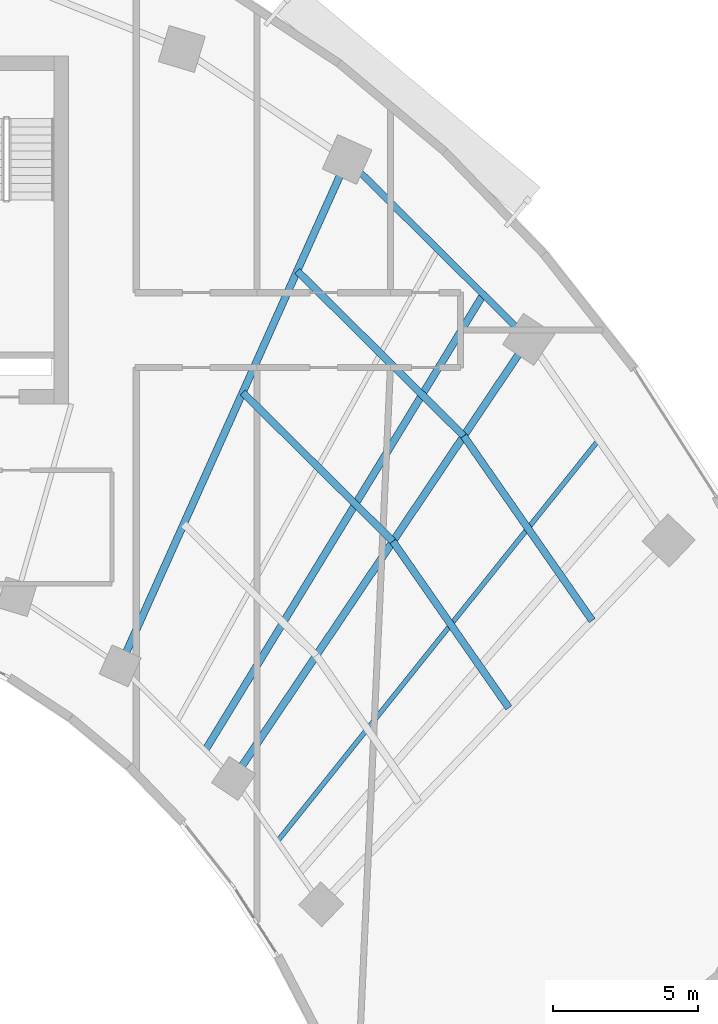
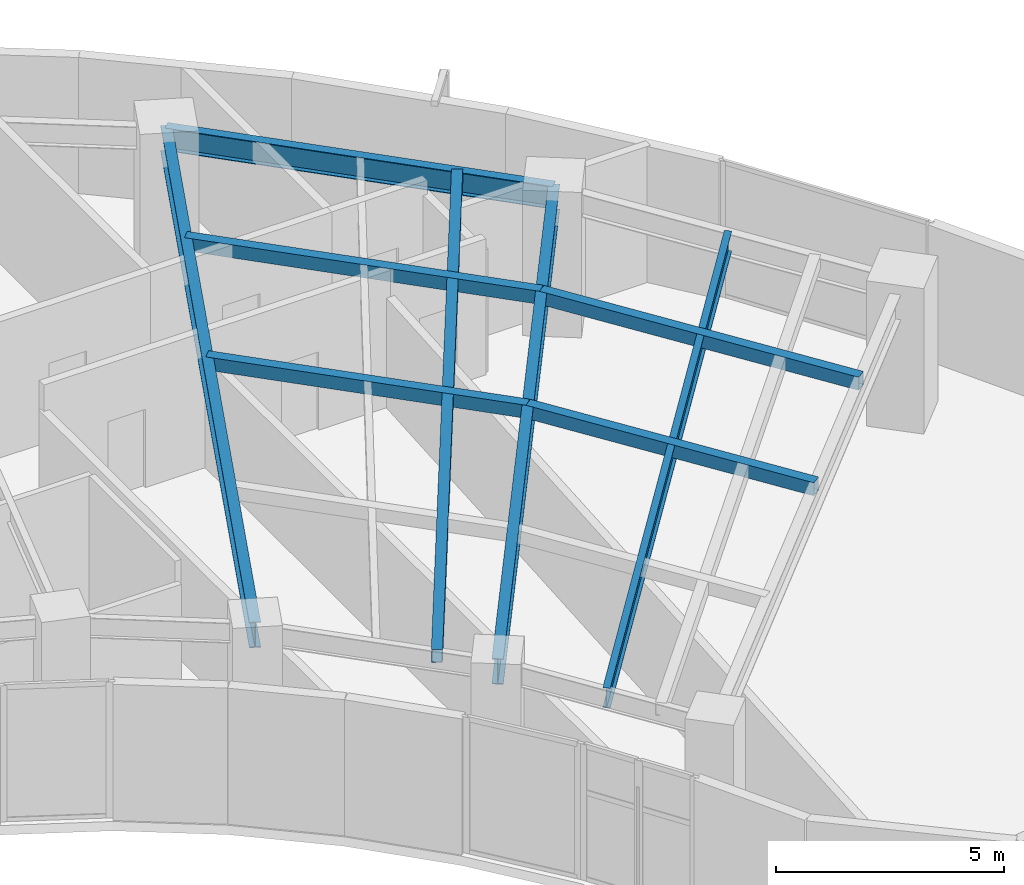
# One storey, part 4 of 14: 9 beams.
"""IFC4 building model written with IfcOpenShell, lengths in metres."""

from ifc_helpers import new_model, si_unit, direction, frame, origin, origin_2d, place, context, subcontext, project, spatial, hollow_rectangle, i_section, extrude, source, transform, mapped, material, material_profile, profile_set, type_object, element, save


model = new_model("IFC4")

# Units and contexts
model_context = context("Model", 3, precision=1e-05, world=origin(), true_north=direction((0.0, 1.0)))
body_context = subcontext(model_context, "Body", "Model", "MODEL_VIEW")
ifc_project = project(units=[si_unit("LENGTHUNIT", "METRE"), si_unit("AREAUNIT", "SQUARE_METRE"), si_unit("VOLUMEUNIT", "CUBIC_METRE"), si_unit("PLANEANGLEUNIT", "RADIAN"), si_unit("MASSUNIT", "GRAM", prefix="KILO")], contexts=[model_context])

# Site, building, storey
site_placement = place(None, origin())
site = spatial("IfcSite", under=ifc_project, at=site_placement, CompositionType="ELEMENT")
building_placement = place(site_placement, origin())
building = spatial("IfcBuilding", under=site, at=building_placement, Name="Breltana Convention Tower", CompositionType="ELEMENT")
storey_placement = place(building_placement, frame((0.0, 0.0, 135.0)))
storey = spatial("IfcBuildingStorey", under=building, at=storey_placement, Name="L32", CompositionType="ELEMENT", Elevation=135.0)

# Beams
ifc_material = material(Name="Steel ASTM A992 Grade 50", Category="steel")
ifc_material_profile_1 = material_profile(ifc_material, i_section(OverallWidth=0.25390625, OverallDepth=0.68798828125, WebThickness=0.01318359375, FlangeThickness=0.02099609375, at=origin_2d()), Name="W27X102")
ifc_profile_set_1 = profile_set([ifc_material_profile_1], Name="Steel ASTM A992 Grade 50")
beam_type_1 = type_object("IfcBeamType", Name="BM-RG-W27X102", PredefinedType="USERDEFINED", material=ifc_profile_set_1)
shared_shape_1 = source(origin(), body_context, "Body", "SweptSolid", [
    extrude(i_section(OverallWidth=0.25390625, OverallDepth=0.68798828125, WebThickness=0.01318359375, FlangeThickness=0.02099609375, at=origin_2d()), origin(), (0.0, 0.0, 1.0), 19.133544921875),
])
beam_1_placement = place(storey_placement, frame((61.08203125, 51.174560546875, 3.305908203125), z_axis=(0.409144564164, 0.912469575172, 0.0), x_axis=(-0.912469575172, 0.409144564164, 0.0)))
element("IfcBeam", 1, at=beam_1_placement, inside=storey, type_object=beam_type_1, Name="L32 Radial Floor Girder R09", ObjectType="GIRDER", PredefinedType="USERDEFINED", context=body_context, shape_type="MappedRepresentation", body=[
    mapped(shared_shape_1, transform((0.0, 0.0, 0.0), scale=1.0)),
])
shared_shape_2 = source(origin(), body_context, "Body", "SweptSolid", [
    extrude(i_section(OverallWidth=0.25390625, OverallDepth=0.68798828125, WebThickness=0.01318359375, FlangeThickness=0.02099609375, at=origin_2d()), origin(), (0.0, 0.0, 1.0), 18.236328125),
])
beam_2_placement = place(storey_placement, frame((64.995849609375, 47.293701171875, 3.305908203125), z_axis=(0.557730360975, 0.830022195153, 0.0), x_axis=(-0.830022195153, 0.557730360975, 0.0)))
element("IfcBeam", 2, at=beam_2_placement, inside=storey, type_object=beam_type_1, Name="L32 Radial Floor Girder R10", ObjectType="GIRDER", PredefinedType="USERDEFINED", context=body_context, shape_type="MappedRepresentation", body=[
    mapped(shared_shape_2, transform((0.0, 0.0, 0.0), scale=1.0)),
])
ifc_material_profile_2 = material_profile(ifc_material, i_section(OverallWidth=0.22802734375, OverallDepth=0.60791015625, WebThickness=0.01123046875, FlangeThickness=0.017333984375, at=origin_2d()), Name="W24X76")
ifc_profile_set_2 = profile_set([ifc_material_profile_2], Name="Steel ASTM A992 Grade 50")
beam_type_2 = type_object("IfcBeamType", Name="BM-SP-W24X76", PredefinedType="SPANDREL", material=ifc_profile_set_2)
shared_shape_3 = source(origin(), body_context, "Body", "SweptSolid", [
    extrude(i_section(OverallWidth=0.22802734375, OverallDepth=0.60791015625, WebThickness=0.01123046875, FlangeThickness=0.017333984375, at=origin_2d()), origin(), (0.0, 0.0, 1.0), 8.810302734375),
])
beam_3_placement = place(storey_placement, frame((68.910400390625, 68.63330078125, 3.345947265625), z_axis=(0.710120823582, -0.704079836322, 0.0), x_axis=(0.704079836322, 0.710120823582, 0.0)))
element("IfcBeam", 3, at=beam_3_placement, inside=storey, type_object=beam_type_2, Name="L32 Outer Spandrel Beam 09", PredefinedType="SPANDREL", context=body_context, shape_type="MappedRepresentation", body=[
    mapped(shared_shape_3, transform((0.0, 0.0, 0.0), scale=1.0)),
])
ifc_material_profile_3 = material_profile(ifc_material, hollow_rectangle(XDim=0.25, YDim=0.35009765625, WallThickness=0.011962890625, at=origin_2d()), Name="RHS350X250X12")
ifc_profile_set_3 = profile_set([ifc_material_profile_3], Name="Steel ASTM A992 Grade 50")
beam_type_3 = type_object("IfcBeamType", Name="BM-JSG-12", PredefinedType="JOIST", material=ifc_profile_set_3)
shared_shape_4 = source(origin(), body_context, "Body", "SweptSolid", [
    extrude(hollow_rectangle(XDim=0.25, YDim=0.35009765625, WallThickness=0.011962890625, at=origin_2d()), origin(), (0.0, 0.0, 1.0), 7.29296875),
])
beam_4_placement = place(storey_placement, frame((65.309326171875, 60.602294921875, 3.47509765625), z_axis=(0.710096551013, -0.704104316305, 0.0), x_axis=(0.704104316305, 0.710096551013, 0.0)))
element("IfcBeam", 4, at=beam_4_placement, inside=storey, type_object=beam_type_3, Name="L32 Composite Floor Joist 09.2", PredefinedType="JOIST", context=body_context, shape_type="MappedRepresentation", body=[
    mapped(shared_shape_4, transform((0.0, 0.0, 0.0), scale=1.0)),
])
shared_shape_5 = source(origin(), body_context, "Body", "SweptSolid", [
    extrude(hollow_rectangle(XDim=0.25, YDim=0.35009765625, WallThickness=0.011962890625, at=origin_2d()), origin(), (0.0, 0.0, 1.0), 8.084716796875),
])
beam_5_placement = place(storey_placement, frame((67.188232421875, 64.79248046875, 3.47509765625), z_axis=(0.710105094548, -0.704095699956, 0.0), x_axis=(0.704095699956, 0.710105094548, 0.0)))
element("IfcBeam", 5, at=beam_5_placement, inside=storey, type_object=beam_type_3, Name="L32 Composite Floor Joist 09.3", PredefinedType="JOIST", context=body_context, shape_type="MappedRepresentation", body=[
    mapped(shared_shape_5, transform((0.0, 0.0, 0.0), scale=1.0)),
])
shared_shape_6 = source(origin(), body_context, "Body", "SweptSolid", [
    extrude(hollow_rectangle(XDim=0.25, YDim=0.35009765625, WallThickness=0.011962890625, at=origin_2d()), origin(), (0.0, 0.0, 1.0), 18.409423828125),
])
beam_6_placement = place(storey_placement, frame((64.017333984375, 48.263916015625, 3.47509765625), z_axis=(0.520682167606, 0.853750596098, 0.0), x_axis=(-0.853750596098, 0.520682167606, 0.0)))
element("IfcBeam", 6, at=beam_6_placement, inside=storey, type_object=beam_type_3, Name="L32 Quarter-Bay Radial Trimmer 09", PredefinedType="JOIST", context=body_context, shape_type="MappedRepresentation", body=[
    mapped(shared_shape_6, transform((0.0, 0.0, 0.0), scale=1.0)),
])
shared_shape_7 = source(origin(), body_context, "Body", "SweptSolid", [
    extrude(hollow_rectangle(XDim=0.25, YDim=0.35009765625, WallThickness=0.011962890625, at=origin_2d()), origin(), (0.0, 0.0, 1.0), 6.99462890625),
])
beam_7_placement = place(storey_placement, frame((70.488037109375, 55.46728515625, 3.47509765625), z_axis=(0.571206630732, -0.820806301759, 0.0), x_axis=(0.820806301759, 0.571206630732, 0.0)))
element("IfcBeam", 7, at=beam_7_placement, inside=storey, type_object=beam_type_3, Name="L32 Composite Floor Joist 10.2", PredefinedType="JOIST", context=body_context, shape_type="MappedRepresentation", body=[
    mapped(shared_shape_7, transform((0.0, 0.0, 0.0), scale=1.0)),
])
shared_shape_8 = source(origin(), body_context, "Body", "SweptSolid", [
    extrude(hollow_rectangle(XDim=0.25, YDim=0.35009765625, WallThickness=0.011962890625, at=origin_2d()), origin(), (0.0, 0.0, 1.0), 7.75390625),
])
beam_8_placement = place(storey_placement, frame((72.92919921875, 59.10009765625, 3.47509765625), z_axis=(0.57119271264, -0.820815987312, 0.0), x_axis=(0.820815987312, 0.57119271264, 0.0)))
element("IfcBeam", 8, at=beam_8_placement, inside=storey, type_object=beam_type_3, Name="L32 Composite Floor Joist 10.3", PredefinedType="JOIST", context=body_context, shape_type="MappedRepresentation", body=[
    mapped(shared_shape_8, transform((0.0, 0.0, 0.0), scale=1.0)),
])
ifc_material_profile_4 = material_profile(ifc_material, i_section(OverallWidth=0.166015625, OverallDepth=0.534912109375, WebThickness=0.01025390625, FlangeThickness=0.0166015625, at=origin_2d()), Name="W21X57")
ifc_profile_set_4 = profile_set([ifc_material_profile_4], Name="Steel ASTM A992 Grade 50")
beam_type_4 = type_object("IfcBeamType", Name="BM-JSG-05", PredefinedType="JOIST", material=ifc_profile_set_4)
shared_shape_9 = source(origin(), body_context, "Body", "SweptSolid", [
    extrude(i_section(OverallWidth=0.166015625, OverallDepth=0.534912109375, WebThickness=0.01025390625, FlangeThickness=0.0166015625, at=origin_2d()), origin(), (0.0, 0.0, 1.0), 17.7236328125),
])
beam_9_placement = place(storey_placement, frame((66.505615234375, 45.124267578125, 3.382568359375), z_axis=(0.624829427563, 0.78076128647, 0.0), x_axis=(-0.78076128647, 0.624829427563, 0.0)))
element("IfcBeam", 9, at=beam_9_placement, inside=storey, type_object=beam_type_4, Name="L32 Mid-Bay Radial Trimmer 10", PredefinedType="JOIST", context=body_context, shape_type="MappedRepresentation", body=[
    mapped(shared_shape_9, transform((0.0, 0.0, 0.0), scale=1.0)),
])

save(model, "model.ifc")
